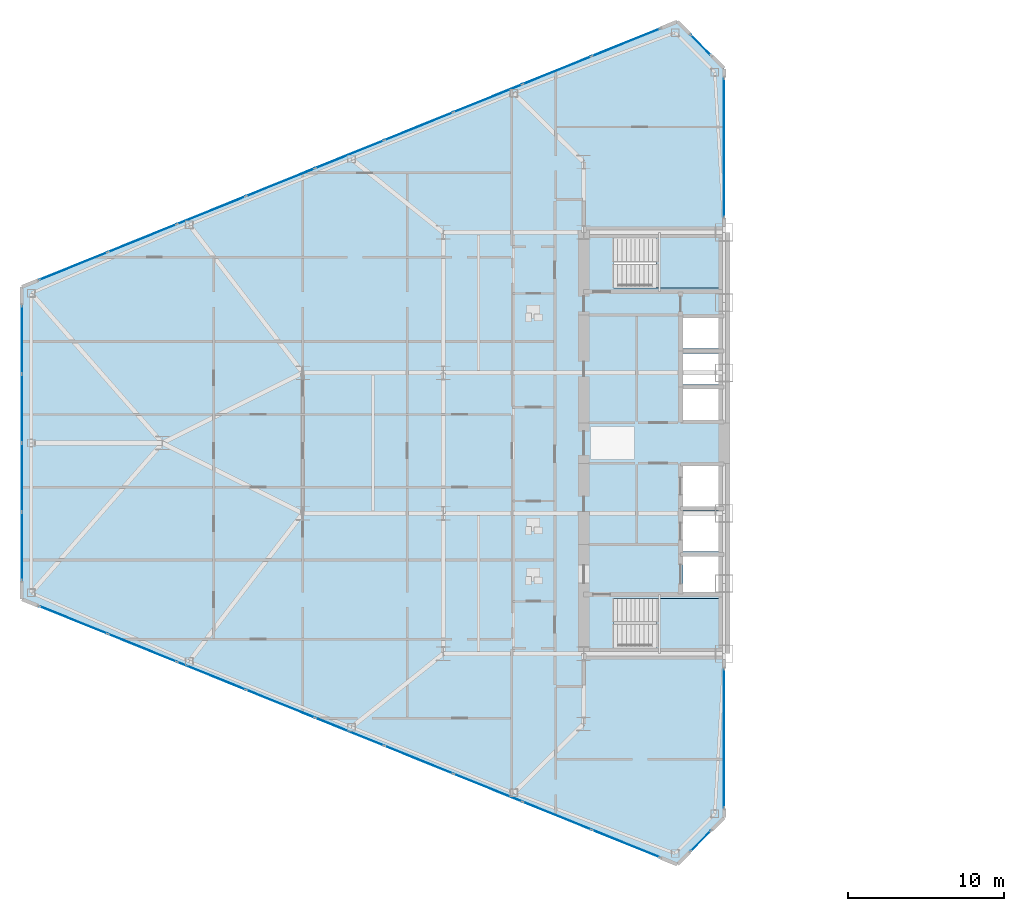
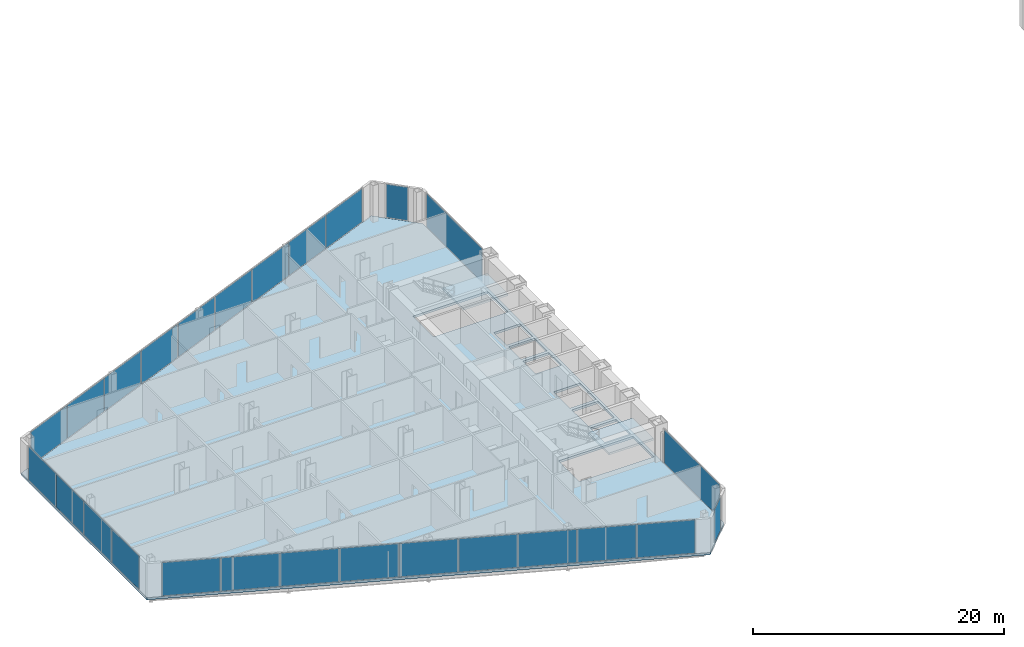
# One storey, part 15 of 25: 26 plates, 3 slabs, 9 elements without a shape of their own.
"""IFC4 building model written with IfcOpenShell, lengths in metres."""

from ifc_helpers import new_model, si_unit, direction, frame, origin, origin_2d, place, context, subcontext, project, spatial, polyline, rectangle, outline, extrude, source, transform, mapped, material, layer, layer_set, type_object, type_shapes, element, aggregate, save


model = new_model("IFC4")

# Units and contexts
model_context = context("Model", 3, precision=1e-05, world=origin(), true_north=direction((0.0, 1.0)))
body_context = subcontext(model_context, "Body", "Model", "MODEL_VIEW")
ifc_project = project(units=[si_unit("LENGTHUNIT", "METRE"), si_unit("AREAUNIT", "SQUARE_METRE"), si_unit("VOLUMEUNIT", "CUBIC_METRE"), si_unit("PLANEANGLEUNIT", "RADIAN"), si_unit("MASSUNIT", "GRAM", prefix="KILO")], contexts=[model_context])

# Site, building, storey
site_placement = place(None, origin())
site = spatial("IfcSite", under=ifc_project, at=site_placement, CompositionType="ELEMENT")
building_placement = place(site_placement, origin())
building = spatial("IfcBuilding", under=site, at=building_placement, Name="Seokmaru Belvedere", CompositionType="ELEMENT")
storey_placement = place(building_placement, frame((0.0, 0.0, 22.5)))
storey = spatial("IfcBuildingStorey", under=building, at=storey_placement, Name="L05", CompositionType="ELEMENT", Elevation=22.5)

# Stair, slab
ifc_material_1 = material(Name="Concrete C40 (40 MPa)", Category="concrete")
stair_type = type_object("IfcStairType", Name="Typical Tower Core Dog-Leg Stair 3600", PredefinedType="TWO_STRAIGHT_RUN_STAIR", material=ifc_material_1)
stair_1_placement = place(storey_placement, origin())
stair_1 = element("IfcStair", 1, at=stair_1_placement, inside=storey, type_object=stair_type, Name="L05 Special Escape Stair ST-W1", PredefinedType="TWO_STRAIGHT_RUN_STAIR")
ifc_layer_1 = layer(ifc_material_1, 0.199951171875)
ifc_layer_set_1 = layer_set([ifc_layer_1], Name="Concrete C40 (40 MPa)")
slab_type_1 = type_object("IfcSlabType", Name="Reinforced Concrete Stair Landing Slab 200", PredefinedType="LANDING", material=ifc_layer_set_1)
slab_1_placement = place(storey_placement, frame((0.0, 0.0, 1.60009765625)))
slab_1 = element("IfcSlab", 2, at=slab_1_placement, type_object=slab_type_1, Name="ST-W1 landing 1", PredefinedType="LANDING", context=body_context, shape_type="SweptSolid", body=[
    extrude(outline(polyline([(-31.8798828125, -13.239990234375), (-27.760009765625, -13.239990234375), (-27.760009765625, -9.949951171875), (-31.8798828125, -9.949951171875), (-31.8798828125, -13.239990234375)])), origin(), (0.0, 0.0, 1.0), 0.199951171875),
])
aggregate(stair_1, [slab_1])

stair_2_placement = place(storey_placement, origin())
stair_2 = element("IfcStair", 3, at=stair_2_placement, inside=storey, type_object=stair_type, Name="L05 Special Escape Stair ST-W2", PredefinedType="TWO_STRAIGHT_RUN_STAIR")
slab_2_placement = place(storey_placement, frame((0.0, 0.0, 1.60009765625)))
slab_2 = element("IfcSlab", 4, at=slab_2_placement, type_object=slab_type_1, Name="ST-W2 landing 1", PredefinedType="LANDING", context=body_context, shape_type="SweptSolid", body=[
    extrude(outline(polyline([(-31.8798828125, 9.949951171875), (-27.760009765625, 9.949951171875), (-27.760009765625, 13.239990234375), (-31.8798828125, 13.239990234375), (-31.8798828125, 9.949951171875)])), origin(), (0.0, 0.0, 1.0), 0.199951171875),
])
aggregate(stair_2, [slab_2])

# Slab
ifc_layer_2 = layer(ifc_material_1, 0.219970703125)
ifc_layer_set_2 = layer_set([ifc_layer_2], Name="Concrete C40 (40 MPa)")
slab_type_2 = type_object("IfcSlabType", Name="Typical Tower Composite Floor Slab 220", PredefinedType="FLOOR", material=ifc_layer_set_2)
slab_3_placement = place(storey_placement, frame((0.0, 0.0, -0.219970703125)))
element("IfcSlab", 5, at=slab_3_placement, inside=storey, type_object=slab_type_2, Name="L05 West Leg Floor Slab", PredefinedType="FLOOR", context=body_context, shape_type="SweptSolid", body=[
    extrude(outline(polyline([(-27.5, -24.0), (-27.5, 24.0), (-30.5, 27.0), (-72.5, 10.0), (-72.5, -10.0), (-30.5, -27.0), (-27.5, -24.0)]), holes=[polyline([(-34.60009765625, -13.25), (-27.75, -13.25), (-27.75, -9.949951171875), (-34.60009765625, -9.949951171875), (-34.60009765625, -13.25)]), polyline([(-34.60009765625, 9.949951171875), (-27.75, 9.949951171875), (-27.75, 13.25), (-34.60009765625, 13.25), (-34.60009765625, 9.949951171875)]), polyline([(-30.14990234375, -9.550048828125), (-27.75, -9.550048828125), (-27.75, -7.25), (-30.14990234375, -7.25), (-30.14990234375, -9.550048828125)]), polyline([(-30.14990234375, -6.949951171875), (-27.75, -6.949951171875), (-27.75, -4.35009765625), (-30.14990234375, -4.35009765625), (-30.14990234375, -6.949951171875)]), polyline([(-30.14990234375, -4.050048828125), (-27.75, -4.050048828125), (-27.75, -1.449951171875), (-30.14990234375, -1.449951171875), (-30.14990234375, -4.050048828125)]), polyline([(-30.14990234375, 1.449951171875), (-27.75, 1.449951171875), (-27.75, 3.449951171875), (-30.14990234375, 3.449951171875), (-30.14990234375, 1.449951171875)]), polyline([(-30.14990234375, 3.75), (-27.75, 3.75), (-27.75, 5.75), (-30.14990234375, 5.75), (-30.14990234375, 3.75)]), polyline([(-30.14990234375, 6.050048828125), (-27.75, 6.050048828125), (-27.75, 8.050048828125), (-30.14990234375, 8.050048828125), (-30.14990234375, 6.050048828125)])]), origin(), (0.0, 0.0, 1.0), 0.219970703125),
])

# Curtain wall, plate
ifc_material_2 = material(Name="Bronze Triple Insulating Glass", Category="glass")
ifc_layer_3 = layer(ifc_material_2, 0.2099609375)
ifc_layer_set_3 = layer_set([ifc_layer_3], Name="Bronze Triple Insulating Glass")
curtain_wall_type = type_object("IfcCurtainWallType", Name="Low-Rise Faceted Crystal Curtain Wall System CW-2", PredefinedType="NOTDEFINED", material=ifc_layer_set_3)
curtain_wall_1_placement = place(storey_placement, origin())
curtain_wall_1 = element("IfcCurtainWall", 6, at=curtain_wall_1_placement, inside=storey, type_object=curtain_wall_type, Name="L05 Curtain Wall WSP_1", PredefinedType="NOTDEFINED")
ifc_layer_4 = layer(ifc_material_2, 0.035888671875)
ifc_layer_set_4 = layer_set([ifc_layer_4], Name="Bronze Triple Insulating Glass")
plate_type = type_object("IfcPlateType", Name="Bronze Triple Vision Glazing Panel 36", PredefinedType="CURTAIN_PANEL", material=ifc_layer_set_4)
shared_shape_1 = source(origin(), body_context, "Body", "SweptSolid", [
    extrude(rectangle(XDim=8.85009765625, YDim=0.035888671875, at=origin_2d()), origin(), (0.0, 0.0, 1.0), 3.239990234375),
])
plate_1_placement = place(storey_placement, frame((-27.5, -18.929931640625, 0.06982421875), z_axis=(0.0, 0.0, 1.0), x_axis=(0.0, 1.0, 0.0)))
plate_1 = element("IfcPlate", 7, at=plate_1_placement, type_object=plate_type, Name="CW:L05:WSP_1 Glazing Panel 1-1", PredefinedType="CURTAIN_PANEL", context=body_context, shape_type="MappedRepresentation", body=[
    mapped(shared_shape_1, transform((0.0, 0.0, 0.0), scale=1.0)),
])
aggregate(curtain_wall_1, [plate_1])

curtain_wall_2_placement = place(storey_placement, origin())
curtain_wall_2 = element("IfcCurtainWall", 8, at=curtain_wall_2_placement, inside=storey, type_object=curtain_wall_type, Name="L05 Curtain Wall WSP_2", PredefinedType="NOTDEFINED")
plate_2_placement = place(storey_placement, frame((-27.5, 18.929931640625, 0.06982421875), z_axis=(0.0, 0.0, 1.0), x_axis=(0.0, 1.0, 0.0)))
plate_2 = element("IfcPlate", 9, at=plate_2_placement, type_object=plate_type, Name="CW:L05:WSP_2 Glazing Panel 1-1", PredefinedType="CURTAIN_PANEL", context=body_context, shape_type="MappedRepresentation", body=[
    mapped(shared_shape_1, transform((0.0, 0.0, 0.0), scale=1.0)),
])
aggregate(curtain_wall_2, [plate_2])

curtain_wall_3_placement = place(storey_placement, origin())
curtain_wall_3 = element("IfcCurtainWall", 10, at=curtain_wall_3_placement, inside=storey, type_object=curtain_wall_type, Name="L05 Curtain Wall WF2", PredefinedType="NOTDEFINED")
shared_shape_2 = source(origin(), body_context, "Body", "SweptSolid", [
    extrude(rectangle(XDim=1.79248046875, YDim=0.035888671875, at=origin_2d()), origin(), (0.0, 0.0, 1.0), 3.239990234375),
])
plate_3_placement = place(storey_placement, frame((-29.0, 25.5, 0.06982421875), z_axis=(0.0, 0.0, 1.0), x_axis=(-0.707106781187, 0.707106781187, 0.0)))
plate_3 = element("IfcPlate", 11, at=plate_3_placement, type_object=plate_type, Name="CW:L05:WF2 Glazing Panel 1-1", PredefinedType="CURTAIN_PANEL", context=body_context, shape_type="MappedRepresentation", body=[
    mapped(shared_shape_2, transform((0.0, 0.0, 0.0), scale=1.0)),
])
aggregate(curtain_wall_3, [plate_3])

curtain_wall_4_placement = place(storey_placement, origin())
curtain_wall_4 = element("IfcCurtainWall", 12, at=curtain_wall_4_placement, inside=storey, type_object=curtain_wall_type, Name="L05 Curtain Wall WF6", PredefinedType="NOTDEFINED")
plate_4_placement = place(storey_placement, frame((-29.0, -25.5, 0.06982421875), z_axis=(0.0, 0.0, 1.0), x_axis=(0.707106781187, 0.707106781187, 0.0)))
plate_4 = element("IfcPlate", 13, at=plate_4_placement, type_object=plate_type, Name="CW:L05:WF6 Glazing Panel 1-1", PredefinedType="CURTAIN_PANEL", context=body_context, shape_type="MappedRepresentation", body=[
    mapped(shared_shape_2, transform((0.0, 0.0, 0.0), scale=1.0)),
])
aggregate(curtain_wall_4, [plate_4])

# Curtain wall, plates
curtain_wall_5_placement = place(storey_placement, origin())
curtain_wall_5 = element("IfcCurtainWall", 14, at=curtain_wall_5_placement, inside=storey, type_object=curtain_wall_type, Name="L05 Curtain Wall WF3", PredefinedType="NOTDEFINED")
shared_shape_3 = source(origin(), body_context, "Body", "SweptSolid", [
    extrude(rectangle(XDim=4.66650390625, YDim=0.035888671875, at=origin_2d()), origin(), (0.0, 0.0, 1.0), 3.239990234375),
])
plate_5_placement = place(storey_placement, frame((-33.79833984375, 25.6650390625, 0.06982421875), z_axis=(0.0, 0.0, 1.0), x_axis=(-0.926946989637, -0.375192321888, 0.0)))
plate_5 = element("IfcPlate", 15, at=plate_5_placement, type_object=plate_type, Name="CW:L05:WF3 Glazing Panel 1-1", PredefinedType="CURTAIN_PANEL", context=body_context, shape_type="MappedRepresentation", body=[
    mapped(shared_shape_3, transform((0.0, 0.0, 0.0), scale=1.0)),
])
plate_6_placement = place(storey_placement, frame((-69.20166015625, 11.3349609375, 0.06982421875), z_axis=(0.0, 0.0, 1.0), x_axis=(-0.926946989637, -0.375192321888, 0.0)))
plate_6 = element("IfcPlate", 16, at=plate_6_placement, type_object=plate_type, Name="CW:L05:WF3 Glazing Panel 9-1", PredefinedType="CURTAIN_PANEL", context=body_context, shape_type="MappedRepresentation", body=[
    mapped(shared_shape_3, transform((0.0, 0.0, 0.0), scale=1.0)),
])

curtain_wall_6_placement = place(storey_placement, origin())
curtain_wall_6 = element("IfcCurtainWall", 17, at=curtain_wall_6_placement, inside=storey, type_object=curtain_wall_type, Name="L05 Curtain Wall WF5", PredefinedType="NOTDEFINED")
plate_7_placement = place(storey_placement, frame((-69.20166015625, -11.3349609375, 0.06982421875), z_axis=(0.0, 0.0, 1.0), x_axis=(0.926946989637, -0.375192321888, 0.0)))
plate_7 = element("IfcPlate", 18, at=plate_7_placement, type_object=plate_type, Name="CW:L05:WF5 Glazing Panel 1-1", PredefinedType="CURTAIN_PANEL", context=body_context, shape_type="MappedRepresentation", body=[
    mapped(shared_shape_3, transform((0.0, 0.0, 0.0), scale=1.0)),
])
plate_8_placement = place(storey_placement, frame((-33.79833984375, -25.6650390625, 0.06982421875), z_axis=(0.0, 0.0, 1.0), x_axis=(0.926946989637, -0.375192321888, 0.0)))
plate_8 = element("IfcPlate", 19, at=plate_8_placement, type_object=plate_type, Name="CW:L05:WF5 Glazing Panel 9-1", PredefinedType="CURTAIN_PANEL", context=body_context, shape_type="MappedRepresentation", body=[
    mapped(shared_shape_3, transform((0.0, 0.0, 0.0), scale=1.0)),
])

# Plate
shared_shape_4 = source(origin(), body_context, "Body", "SweptSolid", [
    extrude(rectangle(XDim=4.703857421875, YDim=0.035888671875, at=origin_2d()), origin(), (0.0, 0.0, 1.0), 3.239990234375),
])
plate_9_placement = place(storey_placement, frame((-38.210693359375, 23.87890625, 0.06982421875), z_axis=(0.0, 0.0, 1.0), x_axis=(-0.926946989637, -0.375192321888, 0.0)))
plate_9 = element("IfcPlate", 20, at=plate_9_placement, type_object=plate_type, Name="CW:L05:WF3 Glazing Panel 2-1", PredefinedType="CURTAIN_PANEL", context=body_context, shape_type="MappedRepresentation", body=[
    mapped(shared_shape_4, transform((0.0, 0.0, 0.0), scale=1.0)),
])

plate_10_placement = place(storey_placement, frame((-42.640380859375, 22.0859375, 0.06982421875), z_axis=(0.0, 0.0, 1.0), x_axis=(-0.926946989637, -0.375192321888, 0.0)))
plate_10 = element("IfcPlate", 21, at=plate_10_placement, type_object=plate_type, Name="CW:L05:WF3 Glazing Panel 3-1", PredefinedType="CURTAIN_PANEL", context=body_context, shape_type="MappedRepresentation", body=[
    mapped(shared_shape_4, transform((0.0, 0.0, 0.0), scale=1.0)),
])

plate_11_placement = place(storey_placement, frame((-47.0703125, 20.29296875, 0.06982421875), z_axis=(0.0, 0.0, 1.0), x_axis=(-0.926946989637, -0.375192321888, 0.0)))
plate_11 = element("IfcPlate", 22, at=plate_11_placement, type_object=plate_type, Name="CW:L05:WF3 Glazing Panel 4-1", PredefinedType="CURTAIN_PANEL", context=body_context, shape_type="MappedRepresentation", body=[
    mapped(shared_shape_4, transform((0.0, 0.0, 0.0), scale=1.0)),
])

plate_12_placement = place(storey_placement, frame((-51.5, 18.5, 0.06982421875), z_axis=(0.0, 0.0, 1.0), x_axis=(-0.926946989637, -0.375192321888, 0.0)))
plate_12 = element("IfcPlate", 23, at=plate_12_placement, type_object=plate_type, Name="CW:L05:WF3 Glazing Panel 5-1", PredefinedType="CURTAIN_PANEL", context=body_context, shape_type="MappedRepresentation", body=[
    mapped(shared_shape_4, transform((0.0, 0.0, 0.0), scale=1.0)),
])

plate_13_placement = place(storey_placement, frame((-55.9296875, 16.70703125, 0.06982421875), z_axis=(0.0, 0.0, 1.0), x_axis=(-0.926946989637, -0.375192321888, 0.0)))
plate_13 = element("IfcPlate", 24, at=plate_13_placement, type_object=plate_type, Name="CW:L05:WF3 Glazing Panel 6-1", PredefinedType="CURTAIN_PANEL", context=body_context, shape_type="MappedRepresentation", body=[
    mapped(shared_shape_4, transform((0.0, 0.0, 0.0), scale=1.0)),
])

plate_14_placement = place(storey_placement, frame((-60.359619140625, 14.9140625, 0.06982421875), z_axis=(0.0, 0.0, 1.0), x_axis=(-0.926946989637, -0.375192321888, 0.0)))
plate_14 = element("IfcPlate", 25, at=plate_14_placement, type_object=plate_type, Name="CW:L05:WF3 Glazing Panel 7-1", PredefinedType="CURTAIN_PANEL", context=body_context, shape_type="MappedRepresentation", body=[
    mapped(shared_shape_4, transform((0.0, 0.0, 0.0), scale=1.0)),
])

plate_15_placement = place(storey_placement, frame((-64.789306640625, 13.12109375, 0.06982421875), z_axis=(0.0, 0.0, 1.0), x_axis=(-0.926946989637, -0.375192321888, 0.0)))
plate_15 = element("IfcPlate", 26, at=plate_15_placement, type_object=plate_type, Name="CW:L05:WF3 Glazing Panel 8-1", PredefinedType="CURTAIN_PANEL", context=body_context, shape_type="MappedRepresentation", body=[
    mapped(shared_shape_4, transform((0.0, 0.0, 0.0), scale=1.0)),
])

aggregate(curtain_wall_5, [plate_5, plate_9, plate_10, plate_11, plate_12, plate_13, plate_14, plate_15, plate_6])

plate_16_placement = place(storey_placement, frame((-64.789306640625, -13.12109375, 0.06982421875), z_axis=(0.0, 0.0, 1.0), x_axis=(0.926946989637, -0.375192321888, 0.0)))
plate_16 = element("IfcPlate", 27, at=plate_16_placement, type_object=plate_type, Name="CW:L05:WF5 Glazing Panel 2-1", PredefinedType="CURTAIN_PANEL", context=body_context, shape_type="MappedRepresentation", body=[
    mapped(shared_shape_4, transform((0.0, 0.0, 0.0), scale=1.0)),
])

plate_17_placement = place(storey_placement, frame((-60.359619140625, -14.9140625, 0.06982421875), z_axis=(0.0, 0.0, 1.0), x_axis=(0.926946989637, -0.375192321888, 0.0)))
plate_17 = element("IfcPlate", 28, at=plate_17_placement, type_object=plate_type, Name="CW:L05:WF5 Glazing Panel 3-1", PredefinedType="CURTAIN_PANEL", context=body_context, shape_type="MappedRepresentation", body=[
    mapped(shared_shape_4, transform((0.0, 0.0, 0.0), scale=1.0)),
])

plate_18_placement = place(storey_placement, frame((-55.9296875, -16.70703125, 0.06982421875), z_axis=(0.0, 0.0, 1.0), x_axis=(0.926946989637, -0.375192321888, 0.0)))
plate_18 = element("IfcPlate", 29, at=plate_18_placement, type_object=plate_type, Name="CW:L05:WF5 Glazing Panel 4-1", PredefinedType="CURTAIN_PANEL", context=body_context, shape_type="MappedRepresentation", body=[
    mapped(shared_shape_4, transform((0.0, 0.0, 0.0), scale=1.0)),
])

plate_19_placement = place(storey_placement, frame((-51.5, -18.5, 0.06982421875), z_axis=(0.0, 0.0, 1.0), x_axis=(0.926946989637, -0.375192321888, 0.0)))
plate_19 = element("IfcPlate", 30, at=plate_19_placement, type_object=plate_type, Name="CW:L05:WF5 Glazing Panel 5-1", PredefinedType="CURTAIN_PANEL", context=body_context, shape_type="MappedRepresentation", body=[
    mapped(shared_shape_4, transform((0.0, 0.0, 0.0), scale=1.0)),
])

plate_20_placement = place(storey_placement, frame((-47.0703125, -20.29296875, 0.06982421875), z_axis=(0.0, 0.0, 1.0), x_axis=(0.926946989637, -0.375192321888, 0.0)))
plate_20 = element("IfcPlate", 31, at=plate_20_placement, type_object=plate_type, Name="CW:L05:WF5 Glazing Panel 6-1", PredefinedType="CURTAIN_PANEL", context=body_context, shape_type="MappedRepresentation", body=[
    mapped(shared_shape_4, transform((0.0, 0.0, 0.0), scale=1.0)),
])

plate_21_placement = place(storey_placement, frame((-42.640380859375, -22.0859375, 0.06982421875), z_axis=(0.0, 0.0, 1.0), x_axis=(0.926946989637, -0.375192321888, 0.0)))
plate_21 = element("IfcPlate", 32, at=plate_21_placement, type_object=plate_type, Name="CW:L05:WF5 Glazing Panel 7-1", PredefinedType="CURTAIN_PANEL", context=body_context, shape_type="MappedRepresentation", body=[
    mapped(shared_shape_4, transform((0.0, 0.0, 0.0), scale=1.0)),
])

plate_22_placement = place(storey_placement, frame((-38.210693359375, -23.87890625, 0.06982421875), z_axis=(0.0, 0.0, 1.0), x_axis=(0.926946989637, -0.375192321888, 0.0)))
plate_22 = element("IfcPlate", 33, at=plate_22_placement, type_object=plate_type, Name="CW:L05:WF5 Glazing Panel 8-1", PredefinedType="CURTAIN_PANEL", context=body_context, shape_type="MappedRepresentation", body=[
    mapped(shared_shape_4, transform((0.0, 0.0, 0.0), scale=1.0)),
])

aggregate(curtain_wall_6, [plate_7, plate_16, plate_17, plate_18, plate_19, plate_20, plate_21, plate_22, plate_8])

# Curtain wall, plates
curtain_wall_7_placement = place(storey_placement, origin())
curtain_wall_7 = element("IfcCurtainWall", 34, at=curtain_wall_7_placement, inside=storey, type_object=curtain_wall_type, Name="L05 Curtain Wall WF4", PredefinedType="NOTDEFINED")
shared_shape_5 = source(origin(), body_context, "Body", "SweptSolid", [
    extrude(rectangle(XDim=4.3125, YDim=0.035888671875, at=origin_2d()), origin(), (0.0, 0.0, 1.0), 3.239990234375),
])
plate_23_placement = place(storey_placement, frame((-72.5, 6.61865234375, 0.06982421875), z_axis=(0.0, 0.0, 1.0), x_axis=(0.0, -1.0, 0.0)))
plate_23 = element("IfcPlate", 35, at=plate_23_placement, type_object=plate_type, Name="CW:L05:WF4 Glazing Panel 1-1", PredefinedType="CURTAIN_PANEL", context=body_context, shape_type="MappedRepresentation", body=[
    mapped(shared_shape_5, transform((0.0, 0.0, 0.0), scale=1.0)),
])
plate_24_placement = place(storey_placement, frame((-72.5, -6.61865234375, 0.06982421875), z_axis=(0.0, 0.0, 1.0), x_axis=(0.0, -1.0, 0.0)))
plate_24 = element("IfcPlate", 36, at=plate_24_placement, type_object=plate_type, Name="CW:L05:WF4 Glazing Panel 4-1", PredefinedType="CURTAIN_PANEL", context=body_context, shape_type="MappedRepresentation", body=[
    mapped(shared_shape_5, transform((0.0, 0.0, 0.0), scale=1.0)),
])
shared_shape_6 = source(origin(), body_context, "Body", "SweptSolid", [
    extrude(rectangle(XDim=4.35009765625, YDim=0.035888671875, at=origin_2d()), origin(), (0.0, 0.0, 1.0), 3.239990234375),
])
type_shapes(plate_type, [shared_shape_1, shared_shape_2, shared_shape_3, shared_shape_4, shared_shape_5, shared_shape_6])
plate_25_placement = place(storey_placement, frame((-72.5, 2.21240234375, 0.06982421875), z_axis=(0.0, 0.0, 1.0), x_axis=(0.0, -1.0, 0.0)))
plate_25 = element("IfcPlate", 37, at=plate_25_placement, type_object=plate_type, Name="CW:L05:WF4 Glazing Panel 2-1", PredefinedType="CURTAIN_PANEL", context=body_context, shape_type="MappedRepresentation", body=[
    mapped(shared_shape_6, transform((0.0, 0.0, 0.0), scale=1.0)),
])
plate_26_placement = place(storey_placement, frame((-72.5, -2.21240234375, 0.06982421875), z_axis=(0.0, 0.0, 1.0), x_axis=(0.0, -1.0, 0.0)))
plate_26 = element("IfcPlate", 38, at=plate_26_placement, type_object=plate_type, Name="CW:L05:WF4 Glazing Panel 3-1", PredefinedType="CURTAIN_PANEL", context=body_context, shape_type="MappedRepresentation", body=[
    mapped(shared_shape_6, transform((0.0, 0.0, 0.0), scale=1.0)),
])
aggregate(curtain_wall_7, [plate_23, plate_25, plate_26, plate_24])

save(model, "model.ifc")
